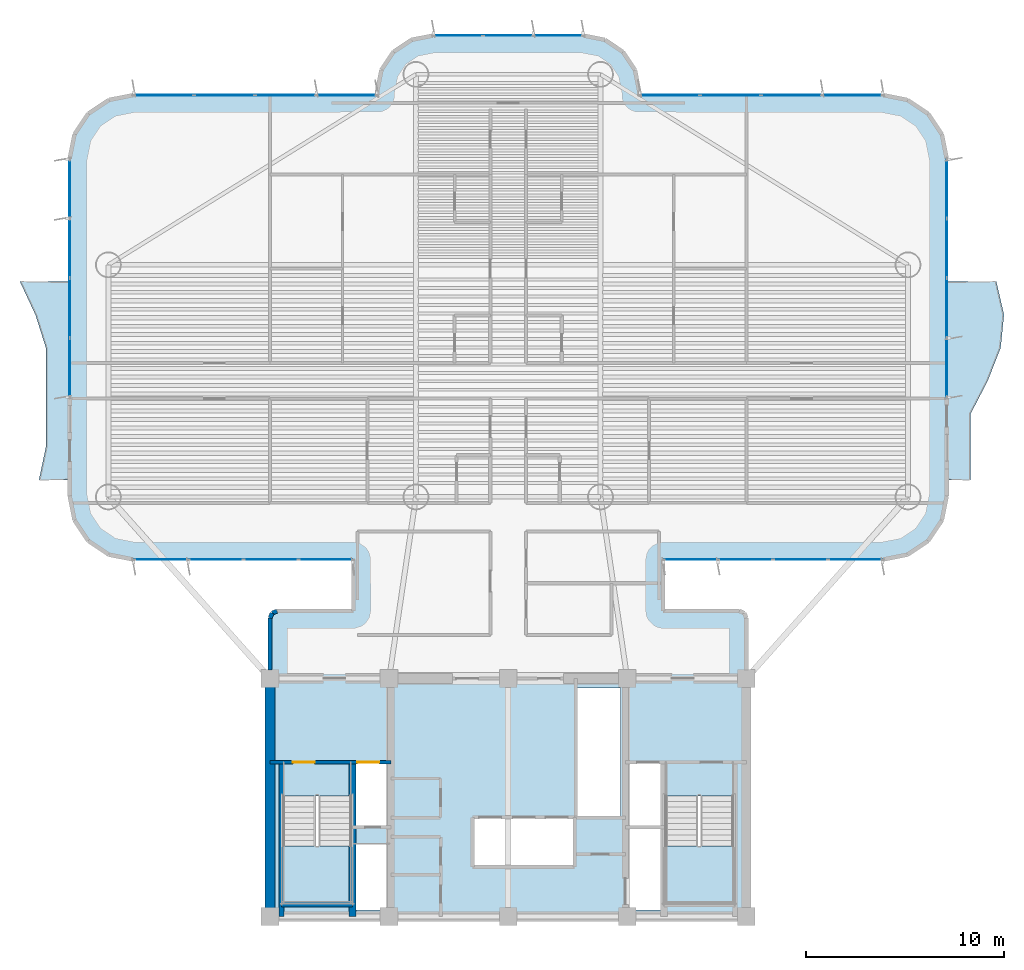
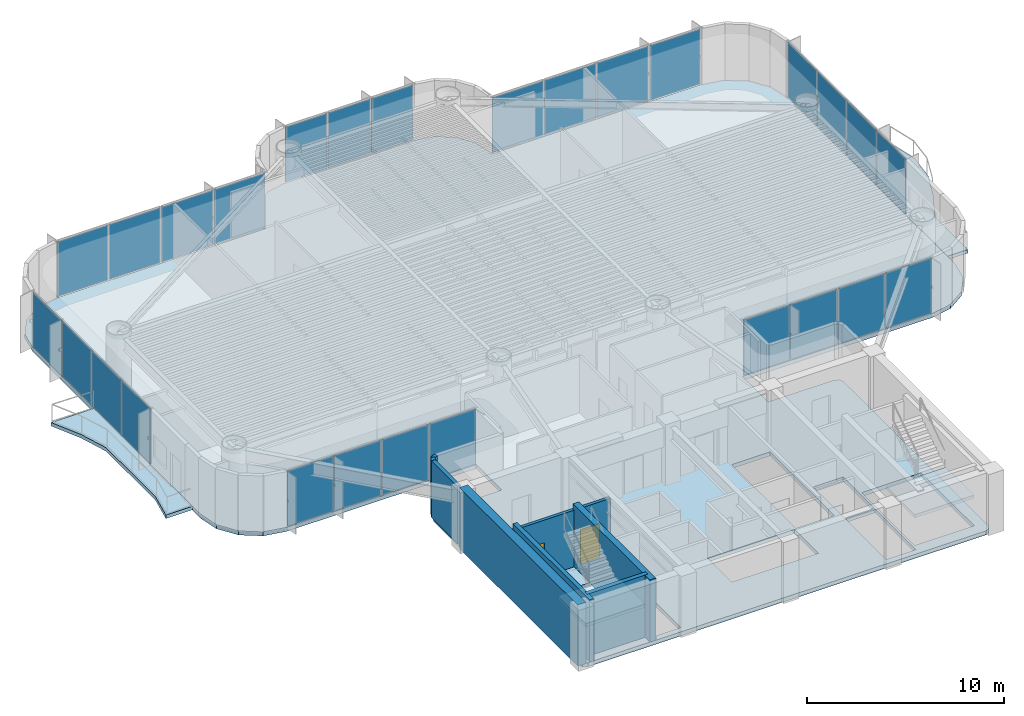
# One storey, part 8 of 17: 27 plates, 8 walls, 5 slabs, 2 doors, 2 openings, 9 elements without a shape of their own.
"""IFC4 building model written with IfcOpenShell, lengths in metres."""

from ifc_helpers import new_model, si_unit, direction, frame, frame_2d, origin, origin_2d, place, context, subcontext, project, spatial, polyline, rectangle, outline, extrude, source, transform, mapped, material, layer, layer_set, type_object, element, fill, aggregate, save


model = new_model("IFC4")

# Units and contexts
model_context = context("Model", 3, precision=1e-05, world=origin(), true_north=direction((0.0, 1.0)))
body_context = subcontext(model_context, "Body", "Model", "MODEL_VIEW")
ifc_project = project(units=[si_unit("LENGTHUNIT", "METRE"), si_unit("AREAUNIT", "SQUARE_METRE"), si_unit("VOLUMEUNIT", "CUBIC_METRE"), si_unit("PLANEANGLEUNIT", "RADIAN"), si_unit("MASSUNIT", "GRAM", prefix="KILO")], contexts=[model_context])

# Site, building, storey
site_placement = place(None, origin())
site = spatial("IfcSite", under=ifc_project, at=site_placement, CompositionType="ELEMENT")
building_placement = place(site_placement, origin())
building = spatial("IfcBuilding", under=site, at=building_placement, Name="Brelvock Crest Care Tower", CompositionType="ELEMENT")
storey_placement = place(building_placement, frame((0.0, 0.0, 97.3798828125)))
storey = spatial("IfcBuildingStorey", under=building, at=storey_placement, Name="L24", CompositionType="ELEMENT", Elevation=97.3798828125)

# Slabs
ifc_material_1 = material(Name="Concrete N50 (50 MPa)", Category="concrete")
ifc_layer_1 = layer(ifc_material_1, 0.25, Name="SLB-FL3")
ifc_layer_set_1 = layer_set([ifc_layer_1], Name="Concrete N50 (50 MPa)")
slab_type_1 = type_object("IfcSlabType", Name="SLB-FL3", PredefinedType="FLOOR", material=ifc_layer_set_1)
slab_1_placement = place(storey_placement, frame((0.0, 0.0, -0.25)))
element("IfcSlab", 1, at=slab_1_placement, inside=storey, type_object=slab_type_1, Name="L24 Main Structural Slab", PredefinedType="FLOOR", context=body_context, shape_type="SweptSolid", body=[
    extrude(outline(polyline([(47.64990234375, 21.39990234375), (43.800048828125, 21.39990234375), (43.800048828125, 24.0), (54.89990234375, 24.0), (56.12451171875, 24.24365234375), (57.16259765625, 24.937255859375), (57.8564453125, 25.975341796875), (58.10009765625, 27.199951171875), (58.10009765625, 44.199951171875), (57.8564453125, 45.424560546875), (57.16259765625, 46.462646484375), (56.12451171875, 47.156494140625), (54.89990234375, 47.39990234375), (42.60009765625, 47.39990234375), (42.60009765625, 47.60009765625), (42.386962890625, 48.67138671875), (41.77978515625, 49.579833984375), (40.87158203125, 50.18701171875), (39.800048828125, 50.39990234375), (32.199951171875, 50.39990234375), (31.12841796875, 50.18701171875), (30.22021484375, 49.579833984375), (29.613037109375, 48.67138671875), (29.39990234375, 47.60009765625), (29.39990234375, 47.39990234375), (17.10009765625, 47.39990234375), (15.87548828125, 47.156494140625), (14.83740234375, 46.462646484375), (14.1435546875, 45.424560546875), (13.89990234375, 44.199951171875), (13.89990234375, 27.199951171875), (14.1435546875, 25.975341796875), (14.83740234375, 24.937255859375), (15.87548828125, 24.24365234375), (17.10009765625, 24.0), (28.199951171875, 24.0), (28.199951171875, 21.39990234375), (24.35009765625, 21.39990234375), (24.1025390625, 21.297607421875), (24.0, 21.050048828125), (24.0, 6.35009765625), (24.1025390625, 6.1025390625), (24.35009765625, 6.0), (47.64990234375, 6.0), (47.8974609375, 6.1025390625), (48.0, 6.35009765625), (48.0, 21.050048828125), (47.8974609375, 21.297607421875), (47.64990234375, 21.39990234375)]), holes=[polyline([(28.239990234375, 10.580078125), (29.97998046875, 10.580078125), (29.97998046875, 13.739990234375), (28.239990234375, 13.739990234375), (28.239990234375, 10.580078125)]), polyline([(42.02001953125, 10.580078125), (43.760009765625, 10.580078125), (43.760009765625, 13.739990234375), (42.02001953125, 13.739990234375), (42.02001953125, 10.580078125)]), polyline([(28.239990234375, 6.340087890625), (29.97998046875, 6.340087890625), (29.97998046875, 9.64990234375), (28.239990234375, 9.64990234375), (28.239990234375, 6.340087890625)]), polyline([(24.6298828125, 12.080078125), (24.6298828125, 6.699951171875), (28.110107421875, 6.699951171875), (28.110107421875, 12.080078125), (24.6298828125, 12.080078125)]), polyline([(43.889892578125, 12.080078125), (43.889892578125, 6.699951171875), (47.3701171875, 6.699951171875), (47.3701171875, 12.080078125), (43.889892578125, 12.080078125)]), polyline([(42.02001953125, 6.340087890625), (43.760009765625, 6.340087890625), (43.760009765625, 10.5), (42.02001953125, 10.5), (42.02001953125, 6.340087890625)]), polyline([(34.22998046875, 8.530029296875), (39.320068359375, 8.530029296875), (39.320068359375, 10.969970703125), (34.22998046875, 10.969970703125), (34.22998046875, 8.530029296875)]), polyline([(39.429931640625, 11.030029296875), (41.669921875, 11.030029296875), (41.669921875, 17.52001953125), (39.429931640625, 17.52001953125), (39.429931640625, 11.030029296875)])]), origin(), (0.0, 0.0, 1.0), 0.25),
])
ifc_layer_2 = layer(ifc_material_1, 0.219970703125, Name="SLB-WB1")
ifc_layer_set_2 = layer_set([ifc_layer_2], Name="Concrete N50 (50 MPa)")
slab_type_2 = type_object("IfcSlabType", Name="SLB-WB1", PredefinedType="FLOOR", material=ifc_layer_set_2)
slab_2_placement = place(storey_placement, frame((0.0, 0.0, -0.219970703125)))
element("IfcSlab", 2, at=slab_2_placement, inside=storey, type_object=slab_type_2, Name="L24 W Sinusoidal Wave Balcony Slab", PredefinedType="FLOOR", context=body_context, shape_type="SweptSolid", body=[
    extrude(outline(polyline([(13.89990234375, 38.0), (11.3955078125, 38.0), (12.173828125, 36.333251953125), (12.699951171875, 34.666748046875), (12.699951171875, 33.0), (12.699951171875, 31.333251953125), (12.699951171875, 29.666748046875), (12.35009765625, 28.0), (13.89990234375, 28.0), (13.89990234375, 38.0)])), origin(), (0.0, 0.0, 1.0), 0.219970703125),
])
slab_3_placement = place(storey_placement, frame((0.0, 0.0, -0.219970703125)))
element("IfcSlab", 3, at=slab_3_placement, inside=storey, type_object=slab_type_2, Name="L24 E Sinusoidal Wave Balcony Slab", PredefinedType="FLOOR", context=body_context, shape_type="SweptSolid", body=[
    extrude(outline(polyline([(58.10009765625, 28.0), (59.300048828125, 28.0), (59.300048828125, 29.666748046875), (59.300537109375, 31.333251953125), (60.16650390625, 33.0), (60.819091796875, 34.666748046875), (60.988525390625, 36.333251953125), (60.6044921875, 38.0), (58.10009765625, 38.0), (58.10009765625, 28.0)])), origin(), (0.0, 0.0, 1.0), 0.219970703125),
])

# Stair, slab
ifc_material_2 = material(Name="Concrete N40 (40 MPa)", Category="concrete")
stair_type = type_object("IfcStairType", Name="ST-CORE1", PredefinedType="HALF_TURN_STAIR", material=ifc_material_2)
stair_1_placement = place(storey_placement, origin())
stair_1 = element("IfcStair", 4, at=stair_1_placement, inside=storey, type_object=stair_type, Name="L24 Fire-Isolated Core Stair ST-1", PredefinedType="HALF_TURN_STAIR")
ifc_layer_3 = layer(ifc_material_2, 0.199951171875, Name="STL-1")
ifc_layer_set_3 = layer_set([ifc_layer_3], Name="Concrete N40 (40 MPa)")
slab_type_3 = type_object("IfcSlabType", Name="STL-1", PredefinedType="LANDING", material=ifc_layer_set_3)
slab_4_placement = place(storey_placement, frame((0.0, 0.0, 1.690185546875)))
slab_4 = element("IfcSlab", 5, at=slab_4_placement, type_object=slab_type_3, Name="ST-1 landing 1", PredefinedType="LANDING", context=body_context, shape_type="SweptSolid", body=[
    extrude(outline(polyline([(24.6298828125, 9.56005859375), (24.6298828125, 6.699951171875), (28.110107421875, 6.699951171875), (28.110107421875, 9.56005859375), (24.6298828125, 9.56005859375)])), origin(), (0.0, 0.0, 1.0), 0.199951171875),
])
aggregate(stair_1, [slab_4])

stair_2_placement = place(storey_placement, origin())
stair_2 = element("IfcStair", 6, at=stair_2_placement, inside=storey, type_object=stair_type, Name="L24 Fire-Isolated Core Stair ST-2", PredefinedType="HALF_TURN_STAIR")
slab_5_placement = place(storey_placement, frame((0.0, 0.0, 1.690185546875)))
slab_5 = element("IfcSlab", 7, at=slab_5_placement, type_object=slab_type_3, Name="ST-2 landing 1", PredefinedType="LANDING", context=body_context, shape_type="SweptSolid", body=[
    extrude(outline(polyline([(43.889892578125, 9.56005859375), (43.889892578125, 6.699951171875), (47.3701171875, 6.699951171875), (47.3701171875, 9.56005859375), (43.889892578125, 9.56005859375)])), origin(), (0.0, 0.0, 1.0), 0.199951171875),
])
aggregate(stair_2, [slab_5])

# Curtain wall, plates
ifc_material_3 = material(Name="Dark Glass Double Glazed Low-E", Category="glass")
ifc_layer_4 = layer(ifc_material_3, 0.2099609375, Name="CWS-3")
ifc_layer_set_4 = layer_set([ifc_layer_4], Name="Dark Glass Double Glazed Low-E")
curtain_wall_type = type_object("IfcCurtainWallType", Name="CWS-3", PredefinedType="NOTDEFINED", material=ifc_layer_set_4)
curtain_wall_1_placement = place(storey_placement, origin())
curtain_wall_1 = element("IfcCurtainWall", 8, at=curtain_wall_1_placement, inside=storey, type_object=curtain_wall_type, Name="L24 Curtain Wall E12", PredefinedType="NOTDEFINED")
ifc_layer_5 = layer(ifc_material_3, 0.031982421875, Name="CWP-V1")
ifc_layer_set_5 = layer_set([ifc_layer_5], Name="Dark Glass Double Glazed Low-E")
plate_type = type_object("IfcPlateType", Name="CWP-V1", PredefinedType="CURTAIN_PANEL", material=ifc_layer_set_5)
shared_shape_1 = source(origin(), body_context, "Body", "SweptSolid", [
    extrude(rectangle(XDim=2.68505859375, YDim=0.035888671875, at=origin_2d()), origin(), (0.0, 0.0, 1.0), 3.409912109375),
])
plate_1_placement = place(storey_placement, frame((26.797607421875, 24.0, 0.06005859375), z_axis=(0.0, 0.0, 1.0), x_axis=(-1.0, 0.0, 0.0)))
plate_1 = element("IfcPlate", 9, at=plate_1_placement, type_object=plate_type, Name="CW-3 panel 1.1", PredefinedType="CURTAIN_PANEL", context=body_context, shape_type="MappedRepresentation", body=[
    mapped(shared_shape_1, transform((0.0, 0.0, 0.0), x_axis=(1.0, 0.0, 0.0), y_axis=(0.0, 1.0, 0.0), z_axis=(0.0, 0.0, 1.0), scale=1.0)),
])
plate_2_placement = place(storey_placement, frame((18.50244140625, 24.0, 0.06005859375), z_axis=(0.0, 0.0, 1.0), x_axis=(-1.0, 0.0, 0.0)))
plate_2 = element("IfcPlate", 10, at=plate_2_placement, type_object=plate_type, Name="CW-3 panel 4.1", PredefinedType="CURTAIN_PANEL", context=body_context, shape_type="MappedRepresentation", body=[
    mapped(shared_shape_1, transform((0.0, 0.0, 0.0), x_axis=(1.0, 0.0, 0.0), y_axis=(0.0, 1.0, 0.0), z_axis=(0.0, 0.0, 1.0), scale=1.0)),
])

curtain_wall_2_placement = place(storey_placement, origin())
curtain_wall_2 = element("IfcCurtainWall", 11, at=curtain_wall_2_placement, inside=storey, type_object=curtain_wall_type, Name="L24 Curtain Wall E44", PredefinedType="NOTDEFINED")
plate_3_placement = place(storey_placement, frame((53.49755859375, 24.0, 0.06005859375), z_axis=(0.0, 0.0, 1.0), x_axis=(-1.0, 0.0, 0.0)))
plate_3 = element("IfcPlate", 12, at=plate_3_placement, type_object=plate_type, Name="CW-3 panel 1.1", PredefinedType="CURTAIN_PANEL", context=body_context, shape_type="MappedRepresentation", body=[
    mapped(shared_shape_1, transform((0.0, 0.0, 0.0), x_axis=(1.0, 0.0, 0.0), y_axis=(0.0, 1.0, 0.0), z_axis=(0.0, 0.0, 1.0), scale=1.0)),
])
plate_4_placement = place(storey_placement, frame((45.202392578125, 24.0, 0.06005859375), z_axis=(0.0, 0.0, 1.0), x_axis=(-1.0, 0.0, 0.0)))
plate_4 = element("IfcPlate", 13, at=plate_4_placement, type_object=plate_type, Name="CW-3 panel 4.1", PredefinedType="CURTAIN_PANEL", context=body_context, shape_type="MappedRepresentation", body=[
    mapped(shared_shape_1, transform((0.0, 0.0, 0.0), x_axis=(1.0, 0.0, 0.0), y_axis=(0.0, 1.0, 0.0), z_axis=(0.0, 0.0, 1.0), scale=1.0)),
])

# Plate
shared_shape_2 = source(origin(), body_context, "Body", "SweptSolid", [
    extrude(rectangle(XDim=2.715087890625, YDim=0.035888671875, at=origin_2d()), origin(), (0.0, 0.0, 1.0), 3.409912109375),
])
plate_5_placement = place(storey_placement, frame((24.03759765625, 24.0, 0.06005859375), z_axis=(0.0, 0.0, 1.0), x_axis=(-1.0, 0.0, 0.0)))
plate_5 = element("IfcPlate", 14, at=plate_5_placement, type_object=plate_type, Name="CW-3 panel 2.1", PredefinedType="CURTAIN_PANEL", context=body_context, shape_type="MappedRepresentation", body=[
    mapped(shared_shape_2, transform((0.0, 0.0, 0.0), x_axis=(1.0, 0.0, 0.0), y_axis=(0.0, 1.0, 0.0), z_axis=(0.0, 0.0, 1.0), scale=1.0)),
])

plate_6_placement = place(storey_placement, frame((21.262451171875, 24.0, 0.06005859375), z_axis=(0.0, 0.0, 1.0), x_axis=(-1.0, 0.0, 0.0)))
plate_6 = element("IfcPlate", 15, at=plate_6_placement, type_object=plate_type, Name="CW-3 panel 3.1", PredefinedType="CURTAIN_PANEL", context=body_context, shape_type="MappedRepresentation", body=[
    mapped(shared_shape_2, transform((0.0, 0.0, 0.0), x_axis=(1.0, 0.0, 0.0), y_axis=(0.0, 1.0, 0.0), z_axis=(0.0, 0.0, 1.0), scale=1.0)),
])

aggregate(curtain_wall_1, [plate_1, plate_5, plate_6, plate_2])

plate_7_placement = place(storey_placement, frame((50.737548828125, 24.0, 0.06005859375), z_axis=(0.0, 0.0, 1.0), x_axis=(-1.0, 0.0, 0.0)))
plate_7 = element("IfcPlate", 16, at=plate_7_placement, type_object=plate_type, Name="CW-3 panel 2.1", PredefinedType="CURTAIN_PANEL", context=body_context, shape_type="MappedRepresentation", body=[
    mapped(shared_shape_2, transform((0.0, 0.0, 0.0), x_axis=(1.0, 0.0, 0.0), y_axis=(0.0, 1.0, 0.0), z_axis=(0.0, 0.0, 1.0), scale=1.0)),
])

plate_8_placement = place(storey_placement, frame((47.96240234375, 24.0, 0.06005859375), z_axis=(0.0, 0.0, 1.0), x_axis=(-1.0, 0.0, 0.0)))
plate_8 = element("IfcPlate", 17, at=plate_8_placement, type_object=plate_type, Name="CW-3 panel 3.1", PredefinedType="CURTAIN_PANEL", context=body_context, shape_type="MappedRepresentation", body=[
    mapped(shared_shape_2, transform((0.0, 0.0, 0.0), x_axis=(1.0, 0.0, 0.0), y_axis=(0.0, 1.0, 0.0), z_axis=(0.0, 0.0, 1.0), scale=1.0)),
])

aggregate(curtain_wall_2, [plate_3, plate_7, plate_8, plate_4])

# Curtain wall, plates
curtain_wall_3_placement = place(storey_placement, origin())
curtain_wall_3 = element("IfcCurtainWall", 18, at=curtain_wall_3_placement, inside=storey, type_object=curtain_wall_type, Name="L24 Curtain Wall E17B", PredefinedType="NOTDEFINED")
shared_shape_3 = source(origin(), body_context, "Body", "SweptSolid", [
    extrude(rectangle(XDim=2.922607421875, YDim=0.035888671875, at=origin_2d()), origin(), (0.0, 0.0, 1.0), 3.409912109375),
])
plate_9_placement = place(storey_placement, frame((13.89990234375, 33.671142578125, 0.06005859375), z_axis=(0.0, 0.0, 1.0), x_axis=(0.0, 1.0, 0.0)))
plate_9 = element("IfcPlate", 19, at=plate_9_placement, type_object=plate_type, Name="CW-3 panel 1.1", PredefinedType="CURTAIN_PANEL", context=body_context, shape_type="MappedRepresentation", body=[
    mapped(shared_shape_3, transform((0.0, 0.0, 0.0), x_axis=(1.0, 0.0, 0.0), y_axis=(0.0, 1.0, 0.0), z_axis=(0.0, 0.0, 1.0), scale=1.0)),
])
plate_10_placement = place(storey_placement, frame((13.89990234375, 42.6787109375, 0.06005859375), z_axis=(0.0, 0.0, 1.0), x_axis=(0.0, 1.0, 0.0)))
plate_10 = element("IfcPlate", 20, at=plate_10_placement, type_object=plate_type, Name="CW-3 panel 4.1", PredefinedType="CURTAIN_PANEL", context=body_context, shape_type="MappedRepresentation", body=[
    mapped(shared_shape_3, transform((0.0, 0.0, 0.0), x_axis=(1.0, 0.0, 0.0), y_axis=(0.0, 1.0, 0.0), z_axis=(0.0, 0.0, 1.0), scale=1.0)),
])

curtain_wall_4_placement = place(storey_placement, origin())
curtain_wall_4 = element("IfcCurtainWall", 21, at=curtain_wall_4_placement, inside=storey, type_object=curtain_wall_type, Name="L24 Curtain Wall E39A", PredefinedType="NOTDEFINED")
plate_11_placement = place(storey_placement, frame((58.10009765625, 42.6787109375, 0.06005859375), z_axis=(0.0, 0.0, 1.0), x_axis=(0.0, -1.0, 0.0)))
plate_11 = element("IfcPlate", 22, at=plate_11_placement, type_object=plate_type, Name="CW-3 panel 1.1", PredefinedType="CURTAIN_PANEL", context=body_context, shape_type="MappedRepresentation", body=[
    mapped(shared_shape_3, transform((0.0, 0.0, 0.0), x_axis=(1.0, 0.0, 0.0), y_axis=(0.0, 1.0, 0.0), z_axis=(0.0, 0.0, 1.0), scale=1.0)),
])
plate_12_placement = place(storey_placement, frame((58.10009765625, 33.671142578125, 0.06005859375), z_axis=(0.0, 0.0, 1.0), x_axis=(0.0, -1.0, 0.0)))
plate_12 = element("IfcPlate", 23, at=plate_12_placement, type_object=plate_type, Name="CW-3 panel 4.1", PredefinedType="CURTAIN_PANEL", context=body_context, shape_type="MappedRepresentation", body=[
    mapped(shared_shape_3, transform((0.0, 0.0, 0.0), x_axis=(1.0, 0.0, 0.0), y_axis=(0.0, 1.0, 0.0), z_axis=(0.0, 0.0, 1.0), scale=1.0)),
])

# Plate
shared_shape_4 = source(origin(), body_context, "Body", "SweptSolid", [
    extrude(rectangle(XDim=2.952392578125, YDim=0.035888671875, at=origin_2d()), origin(), (0.0, 0.0, 1.0), 3.409912109375),
])
plate_13_placement = place(storey_placement, frame((13.89990234375, 36.668701171875, 0.06005859375), z_axis=(0.0, 0.0, 1.0), x_axis=(0.0, 1.0, 0.0)))
plate_13 = element("IfcPlate", 24, at=plate_13_placement, type_object=plate_type, Name="CW-3 panel 2.1", PredefinedType="CURTAIN_PANEL", context=body_context, shape_type="MappedRepresentation", body=[
    mapped(shared_shape_4, transform((0.0, 0.0, 0.0), x_axis=(1.0, 0.0, 0.0), y_axis=(0.0, 1.0, 0.0), z_axis=(0.0, 0.0, 1.0), scale=1.0)),
])

plate_14_placement = place(storey_placement, frame((13.89990234375, 39.68115234375, 0.06005859375), z_axis=(0.0, 0.0, 1.0), x_axis=(0.0, 1.0, 0.0)))
plate_14 = element("IfcPlate", 25, at=plate_14_placement, type_object=plate_type, Name="CW-3 panel 3.1", PredefinedType="CURTAIN_PANEL", context=body_context, shape_type="MappedRepresentation", body=[
    mapped(shared_shape_4, transform((0.0, 0.0, 0.0), x_axis=(1.0, 0.0, 0.0), y_axis=(0.0, 1.0, 0.0), z_axis=(0.0, 0.0, 1.0), scale=1.0)),
])

aggregate(curtain_wall_3, [plate_9, plate_13, plate_14, plate_10])

plate_15_placement = place(storey_placement, frame((58.10009765625, 39.68115234375, 0.06005859375), z_axis=(0.0, 0.0, 1.0), x_axis=(0.0, -1.0, 0.0)))
plate_15 = element("IfcPlate", 26, at=plate_15_placement, type_object=plate_type, Name="CW-3 panel 2.1", PredefinedType="CURTAIN_PANEL", context=body_context, shape_type="MappedRepresentation", body=[
    mapped(shared_shape_4, transform((0.0, 0.0, 0.0), x_axis=(1.0, 0.0, 0.0), y_axis=(0.0, 1.0, 0.0), z_axis=(0.0, 0.0, 1.0), scale=1.0)),
])

plate_16_placement = place(storey_placement, frame((58.10009765625, 36.668701171875, 0.06005859375), z_axis=(0.0, 0.0, 1.0), x_axis=(0.0, -1.0, 0.0)))
plate_16 = element("IfcPlate", 27, at=plate_16_placement, type_object=plate_type, Name="CW-3 panel 3.1", PredefinedType="CURTAIN_PANEL", context=body_context, shape_type="MappedRepresentation", body=[
    mapped(shared_shape_4, transform((0.0, 0.0, 0.0), x_axis=(1.0, 0.0, 0.0), y_axis=(0.0, 1.0, 0.0), z_axis=(0.0, 0.0, 1.0), scale=1.0)),
])

aggregate(curtain_wall_4, [plate_11, plate_15, plate_16, plate_12])

# Curtain wall, plates
curtain_wall_5_placement = place(storey_placement, origin())
curtain_wall_5 = element("IfcCurtainWall", 28, at=curtain_wall_5_placement, inside=storey, type_object=curtain_wall_type, Name="L24 Curtain Wall E22", PredefinedType="NOTDEFINED")
shared_shape_5 = source(origin(), body_context, "Body", "SweptSolid", [
    extrude(rectangle(XDim=2.985107421875, YDim=0.035888671875, at=origin_2d()), origin(), (0.0, 0.0, 1.0), 3.409912109375),
])
plate_17_placement = place(storey_placement, frame((18.652587890625, 47.39990234375, 0.06005859375), z_axis=(0.0, 0.0, 1.0), x_axis=(1.0, 0.0, 0.0)))
plate_17 = element("IfcPlate", 29, at=plate_17_placement, type_object=plate_type, Name="CW-3 panel 1.1", PredefinedType="CURTAIN_PANEL", context=body_context, shape_type="MappedRepresentation", body=[
    mapped(shared_shape_5, transform((0.0, 0.0, 0.0), x_axis=(1.0, 0.0, 0.0), y_axis=(0.0, 1.0, 0.0), z_axis=(0.0, 0.0, 1.0), scale=1.0)),
])
plate_18_placement = place(storey_placement, frame((27.847412109375, 47.39990234375, 0.06005859375), z_axis=(0.0, 0.0, 1.0), x_axis=(1.0, 0.0, 0.0)))
plate_18 = element("IfcPlate", 30, at=plate_18_placement, type_object=plate_type, Name="CW-3 panel 4.1", PredefinedType="CURTAIN_PANEL", context=body_context, shape_type="MappedRepresentation", body=[
    mapped(shared_shape_5, transform((0.0, 0.0, 0.0), x_axis=(1.0, 0.0, 0.0), y_axis=(0.0, 1.0, 0.0), z_axis=(0.0, 0.0, 1.0), scale=1.0)),
])

curtain_wall_6_placement = place(storey_placement, origin())
curtain_wall_6 = element("IfcCurtainWall", 31, at=curtain_wall_6_placement, inside=storey, type_object=curtain_wall_type, Name="L24 Curtain Wall E34", PredefinedType="NOTDEFINED")
plate_19_placement = place(storey_placement, frame((44.152587890625, 47.39990234375, 0.06005859375), z_axis=(0.0, 0.0, 1.0), x_axis=(1.0, 0.0, 0.0)))
plate_19 = element("IfcPlate", 32, at=plate_19_placement, type_object=plate_type, Name="CW-3 panel 1.1", PredefinedType="CURTAIN_PANEL", context=body_context, shape_type="MappedRepresentation", body=[
    mapped(shared_shape_5, transform((0.0, 0.0, 0.0), x_axis=(1.0, 0.0, 0.0), y_axis=(0.0, 1.0, 0.0), z_axis=(0.0, 0.0, 1.0), scale=1.0)),
])
plate_20_placement = place(storey_placement, frame((53.347412109375, 47.39990234375, 0.06005859375), z_axis=(0.0, 0.0, 1.0), x_axis=(1.0, 0.0, 0.0)))
plate_20 = element("IfcPlate", 33, at=plate_20_placement, type_object=plate_type, Name="CW-3 panel 4.1", PredefinedType="CURTAIN_PANEL", context=body_context, shape_type="MappedRepresentation", body=[
    mapped(shared_shape_5, transform((0.0, 0.0, 0.0), x_axis=(1.0, 0.0, 0.0), y_axis=(0.0, 1.0, 0.0), z_axis=(0.0, 0.0, 1.0), scale=1.0)),
])

# Plate
shared_shape_6 = source(origin(), body_context, "Body", "SweptSolid", [
    extrude(rectangle(XDim=3.014892578125, YDim=0.035888671875, at=origin_2d()), origin(), (0.0, 0.0, 1.0), 3.409912109375),
])
plate_21_placement = place(storey_placement, frame((21.71240234375, 47.39990234375, 0.06005859375), z_axis=(0.0, 0.0, 1.0), x_axis=(1.0, 0.0, 0.0)))
plate_21 = element("IfcPlate", 34, at=plate_21_placement, type_object=plate_type, Name="CW-3 panel 2.1", PredefinedType="CURTAIN_PANEL", context=body_context, shape_type="MappedRepresentation", body=[
    mapped(shared_shape_6, transform((0.0, 0.0, 0.0), x_axis=(1.0, 0.0, 0.0), y_axis=(0.0, 1.0, 0.0), z_axis=(0.0, 0.0, 1.0), scale=1.0)),
])

plate_22_placement = place(storey_placement, frame((24.78759765625, 47.39990234375, 0.06005859375), z_axis=(0.0, 0.0, 1.0), x_axis=(1.0, 0.0, 0.0)))
plate_22 = element("IfcPlate", 35, at=plate_22_placement, type_object=plate_type, Name="CW-3 panel 3.1", PredefinedType="CURTAIN_PANEL", context=body_context, shape_type="MappedRepresentation", body=[
    mapped(shared_shape_6, transform((0.0, 0.0, 0.0), x_axis=(1.0, 0.0, 0.0), y_axis=(0.0, 1.0, 0.0), z_axis=(0.0, 0.0, 1.0), scale=1.0)),
])

aggregate(curtain_wall_5, [plate_17, plate_21, plate_22, plate_18])

plate_23_placement = place(storey_placement, frame((47.21240234375, 47.39990234375, 0.06005859375), z_axis=(0.0, 0.0, 1.0), x_axis=(1.0, 0.0, 0.0)))
plate_23 = element("IfcPlate", 36, at=plate_23_placement, type_object=plate_type, Name="CW-3 panel 2.1", PredefinedType="CURTAIN_PANEL", context=body_context, shape_type="MappedRepresentation", body=[
    mapped(shared_shape_6, transform((0.0, 0.0, 0.0), x_axis=(1.0, 0.0, 0.0), y_axis=(0.0, 1.0, 0.0), z_axis=(0.0, 0.0, 1.0), scale=1.0)),
])

plate_24_placement = place(storey_placement, frame((50.28759765625, 47.39990234375, 0.06005859375), z_axis=(0.0, 0.0, 1.0), x_axis=(1.0, 0.0, 0.0)))
plate_24 = element("IfcPlate", 37, at=plate_24_placement, type_object=plate_type, Name="CW-3 panel 3.1", PredefinedType="CURTAIN_PANEL", context=body_context, shape_type="MappedRepresentation", body=[
    mapped(shared_shape_6, transform((0.0, 0.0, 0.0), x_axis=(1.0, 0.0, 0.0), y_axis=(0.0, 1.0, 0.0), z_axis=(0.0, 0.0, 1.0), scale=1.0)),
])

aggregate(curtain_wall_6, [plate_19, plate_23, plate_24, plate_20])

# Curtain wall, plates
curtain_wall_7_placement = place(storey_placement, origin())
curtain_wall_7 = element("IfcCurtainWall", 38, at=curtain_wall_7_placement, inside=storey, type_object=curtain_wall_type, Name="L24 Curtain Wall E28", PredefinedType="NOTDEFINED")
shared_shape_7 = source(origin(), body_context, "Body", "SweptSolid", [
    extrude(rectangle(XDim=2.443359375, YDim=0.035888671875, at=origin_2d()), origin(), (0.0, 0.0, 1.0), 3.409912109375),
])
plate_25_placement = place(storey_placement, frame((33.481689453125, 50.39990234375, 0.06005859375), z_axis=(0.0, 0.0, 1.0), x_axis=(1.0, 0.0, 0.0)))
plate_25 = element("IfcPlate", 39, at=plate_25_placement, type_object=plate_type, Name="CW-3 panel 1.1", PredefinedType="CURTAIN_PANEL", context=body_context, shape_type="MappedRepresentation", body=[
    mapped(shared_shape_7, transform((0.0, 0.0, 0.0), x_axis=(1.0, 0.0, 0.0), y_axis=(0.0, 1.0, 0.0), z_axis=(0.0, 0.0, 1.0), scale=1.0)),
])
plate_26_placement = place(storey_placement, frame((38.518310546875, 50.39990234375, 0.06005859375), z_axis=(0.0, 0.0, 1.0), x_axis=(1.0, 0.0, 0.0)))
plate_26 = element("IfcPlate", 40, at=plate_26_placement, type_object=plate_type, Name="CW-3 panel 3.1", PredefinedType="CURTAIN_PANEL", context=body_context, shape_type="MappedRepresentation", body=[
    mapped(shared_shape_7, transform((0.0, 0.0, 0.0), x_axis=(1.0, 0.0, 0.0), y_axis=(0.0, 1.0, 0.0), z_axis=(0.0, 0.0, 1.0), scale=1.0)),
])
shared_shape_8 = source(origin(), body_context, "Body", "SweptSolid", [
    extrude(rectangle(XDim=2.473388671875, YDim=0.035888671875, at=origin_2d()), origin(), (0.0, 0.0, 1.0), 3.409912109375),
])
plate_27_placement = place(storey_placement, frame((36.0, 50.39990234375, 0.06005859375), z_axis=(0.0, 0.0, 1.0), x_axis=(1.0, 0.0, 0.0)))
plate_27 = element("IfcPlate", 41, at=plate_27_placement, type_object=plate_type, Name="CW-3 panel 2.1", PredefinedType="CURTAIN_PANEL", context=body_context, shape_type="MappedRepresentation", body=[
    mapped(shared_shape_8, transform((0.0, 0.0, 0.0), x_axis=(1.0, 0.0, 0.0), y_axis=(0.0, 1.0, 0.0), z_axis=(0.0, 0.0, 1.0), scale=1.0)),
])
aggregate(curtain_wall_7, [plate_25, plate_27, plate_26])

# Walls
ifc_material_4 = material(Name="Concrete S80 (80 MPa)", Category="concrete")
ifc_layer_6 = layer(ifc_material_4, 0.5, Name="WL-CS2")
ifc_layer_set_6 = layer_set([ifc_layer_6], Name="Concrete S80 (80 MPa)")
wall_type_1 = type_object("IfcWallType", Name="WL-CS2", PredefinedType="SHEAR", material=ifc_layer_set_6)
wall_1_placement = place(storey_placement, frame((24.0, 6.0, 0.0), z_axis=(0.0, 0.0, 1.0), x_axis=(0.0, 1.0, 0.0)))
element("IfcWall", 42, at=wall_1_placement, inside=storey, type_object=wall_type_1, Name="L24 Core West Shear Wall", PredefinedType="SHEAR", context=body_context, shape_type="SweptSolid", body=[
    extrude(rectangle(XDim=12.0, YDim=0.5, at=frame_2d((6.0, 0.0))), origin(), (0.0, 0.0, 1.0), 3.780029296875),
])
ifc_layer_7 = layer(ifc_material_4, 0.35009765625, Name="WL-CS5")
ifc_layer_set_7 = layer_set([ifc_layer_7], Name="Concrete S80 (80 MPa)")
wall_type_2 = type_object("IfcWallType", Name="WL-CS5", PredefinedType="SHEAR", material=ifc_layer_set_7)
wall_2_placement = place(storey_placement, frame((28.14990234375, 6.0, 0.0), z_axis=(0.0, 0.0, 1.0), x_axis=(0.0, 1.0, 0.0)))
element("IfcWall", 43, at=wall_2_placement, inside=storey, type_object=wall_type_2, Name="L24 Core Stair ST-1 East Shear Wall", PredefinedType="SHEAR", context=body_context, shape_type="SweptSolid", body=[
    extrude(rectangle(XDim=7.780029296875, YDim=0.35009765625, at=frame_2d((3.89013671875, 0.0))), origin(), (0.0, 0.0, 1.0), 3.85009765625),
])
ifc_layer_8 = layer(ifc_material_4, 0.25, Name="WL-CS6")
ifc_layer_set_8 = layer_set([ifc_layer_8], Name="Concrete S80 (80 MPa)")
wall_type_3 = type_object("IfcWallType", Name="WL-CS6", PredefinedType="SHEAR", material=ifc_layer_set_8)
wall_3_placement = place(storey_placement, frame((24.580078125, 6.0, 0.0), z_axis=(0.0, 0.0, 1.0), x_axis=(0.0, 1.0, 0.0)))
element("IfcWall", 44, at=wall_3_placement, inside=storey, type_object=wall_type_3, Name="L24 Core Stair ST-1 West Shear Wall", PredefinedType="SHEAR", context=body_context, shape_type="SweptSolid", body=[
    extrude(rectangle(XDim=7.780029296875, YDim=0.25, at=frame_2d((3.89013671875, 0.0))), origin(), (0.0, 0.0, 1.0), 3.85009765625),
])
wall_4_placement = place(storey_placement, frame((24.580078125, 6.6201171875, 0.0), z_axis=(0.0, 0.0, 1.0), x_axis=(1.0, 0.0, 0.0)))
element("IfcWall", 45, at=wall_4_placement, inside=storey, type_object=wall_type_3, Name="L24 Core Stair ST-1 South Shear Wall", PredefinedType="SHEAR", context=body_context, shape_type="SweptSolid", body=[
    extrude(rectangle(XDim=3.56982421875, YDim=0.25, at=frame_2d((1.784912109375, 0.0))), origin(), (0.0, 0.0, 1.0), 3.85009765625),
])
ifc_material_5 = material(Name="Precast concrete N40 (40 MPa)", Category="concrete")
ifc_layer_9 = layer(ifc_material_5, 0.215087890625, Name="WL-EX2")
ifc_layer_set_9 = layer_set([ifc_layer_9], Name="Precast concrete N40 (40 MPa)")
wall_type_4 = type_object("IfcWallType", Name="WL-EX2", PredefinedType="SOLIDWALL", material=ifc_layer_set_9)
wall_5_placement = place(storey_placement, frame((24.0, 18.429931640625, 0.0), z_axis=(0.0, 0.0, 1.0), x_axis=(0.0, 1.0, 0.0)))
element("IfcWall", 46, at=wall_5_placement, inside=storey, type_object=wall_type_4, Name="L24 Rounded Corner Wall 07", PredefinedType="SOLIDWALL", context=body_context, shape_type="SweptSolid", body=[
    extrude(rectangle(XDim=2.6201171875, YDim=0.215087890625, at=frame_2d((1.31005859375, 0.0))), origin(), (0.0, 0.0, 1.0), 3.530029296875),
])
wall_6_placement = place(storey_placement, frame((24.0, 21.050048828125, 0.0), z_axis=(0.0, 0.0, 1.0), x_axis=(0.382673670509, 0.923883575944, 0.0)))
element("IfcWall", 47, at=wall_6_placement, inside=storey, type_object=wall_type_4, Name="L24 Rounded Corner Wall 08", PredefinedType="SOLIDWALL", context=body_context, shape_type="SweptSolid", body=[
    extrude(rectangle(XDim=0.26806640625, YDim=0.215087890625, at=frame_2d((0.134033203125, 0.0))), origin(), (0.0, 0.0, 1.0), 3.530029296875),
])
wall_7_placement = place(storey_placement, frame((24.1025390625, 21.297607421875, 0.0), z_axis=(0.0, 0.0, 1.0), x_axis=(0.924205486139, 0.381895560841, 0.0)))
element("IfcWall", 48, at=wall_7_placement, inside=storey, type_object=wall_type_4, Name="L24 Rounded Corner Wall 09", PredefinedType="SOLIDWALL", context=body_context, shape_type="SweptSolid", body=[
    extrude(rectangle(XDim=0.267822265625, YDim=0.215087890625, at=frame_2d((0.1337890625, 0.0))), origin(), (0.0, 0.0, 1.0), 3.530029296875),
])

# Wall, openings, doors
ifc_material_6 = material(Name="Masonry Blockwork Acoustic Partition", Category="masonry")
ifc_layer_10 = layer(ifc_material_6, 0.179931640625, Name="WL-SHF1")
ifc_layer_set_10 = layer_set([ifc_layer_10], Name="Masonry Blockwork Acoustic Partition")
wall_type_5 = type_object("IfcWallType", Name="WL-SHF1", PredefinedType="PARTITIONING", material=ifc_layer_set_10)
wall_8_placement = place(storey_placement, frame((24.0, 13.780029296875, 0.0), z_axis=(0.0, 0.0, 1.0), x_axis=(1.0, 0.0, 0.0)))
wall_8 = element("IfcWall", 49, at=wall_8_placement, inside=storey, type_object=wall_type_5, Name="L24 Interior Wall WL-ST1-N-L24", PredefinedType="PARTITIONING", context=body_context, shape_type="SweptSolid", body=[
    extrude(rectangle(XDim=6.10009765625, YDim=0.179931640625, at=frame_2d((3.050048828125, 0.0))), origin(), (0.0, 0.0, 1.0), 3.5),
])
opening_1_placement = place(wall_8_placement, frame((1.14990234375, 0.0, 0.0)))
opening_1 = element("IfcOpeningElement", 50, at=opening_1_placement, cuts=wall_8, Name="Opening SD-1", PredefinedType="OPENING", context=body_context, shape_type="SweptSolid", body=[
    extrude(rectangle(XDim=1.10009765625, YDim=2.10009765625, at=origin_2d()), frame((0.550048828125, 0.10009765625, 1.050048828125), z_axis=(0.0, -1.0, 0.0), x_axis=(1.0, 0.0, 0.0)), (0.0, 0.0, 1.0), 0.199951171875),
])
opening_2_placement = place(wall_8_placement, frame((4.39990234375, 0.0, 0.0)))
opening_2 = element("IfcOpeningElement", 51, at=opening_2_placement, cuts=wall_8, Name="Opening LD", PredefinedType="OPENING", context=body_context, shape_type="SweptSolid", body=[
    extrude(rectangle(XDim=1.10009765625, YDim=2.10009765625, at=origin_2d()), frame((0.550048828125, 0.10009765625, 1.050048828125), z_axis=(0.0, -1.0, 0.0), x_axis=(1.0, 0.0, 0.0)), (0.0, 0.0, 1.0), 0.199951171875),
])
ifc_material_7 = material(Name="Steel Grade 350", Category="steel")
door_type_1 = type_object("IfcDoorType", Name="DR-ST1", OperationType="NOTDEFINED", PredefinedType="DOOR", material=ifc_material_7)
shared_shape_9 = source(origin(), body_context, "Body", "SweptSolid", [
    extrude(rectangle(XDim=1.10009765625, YDim=2.10009765625, at=origin_2d()), frame((0.550048828125, 0.02490234375, 1.050048828125), z_axis=(0.0, -1.0, 0.0), x_axis=(1.0, 0.0, 0.0)), (0.0, 0.0, 1.0), 0.050048828125),
])
door_1_placement = place(opening_1_placement, origin())
door_1 = element("IfcDoor", 52, at=door_1_placement, inside=storey, type_object=door_type_1, Name="L24 Fire Stair ST-1 Door", OperationType="SINGLE_SWING_LEFT", OverallHeight=2.10009765625, OverallWidth=1.10009765625, PredefinedType="DOOR", context=body_context, shape_type="MappedRepresentation", body=[
    mapped(shared_shape_9, transform((0.0, 0.0, 0.0), x_axis=(1.0, 0.0, 0.0), y_axis=(0.0, 1.0, 0.0), z_axis=(0.0, 0.0, 1.0), scale=1.0)),
])
fill(opening_1, door_1)
door_type_2 = type_object("IfcDoorType", Name="DR-LD1", OperationType="NOTDEFINED", PredefinedType="DOOR", material=ifc_material_7)
shared_shape_10 = source(origin(), body_context, "Body", "SweptSolid", [
    extrude(rectangle(XDim=1.10009765625, YDim=2.10009765625, at=origin_2d()), frame((0.550048828125, 0.02490234375, 1.050048828125), z_axis=(0.0, -1.0, 0.0), x_axis=(1.0, 0.0, 0.0)), (0.0, 0.0, 1.0), 0.050048828125),
])
door_2_placement = place(opening_2_placement, origin())
door_2 = element("IfcDoor", 53, at=door_2_placement, inside=storey, type_object=door_type_2, Name="L24 Firefighting Lift FFL-1 Landing Door", OperationType="SLIDING_TO_LEFT", OverallHeight=2.10009765625, OverallWidth=1.10009765625, PredefinedType="DOOR", context=body_context, shape_type="MappedRepresentation", body=[
    mapped(shared_shape_10, transform((0.0, 0.0, 0.0), x_axis=(1.0, 0.0, 0.0), y_axis=(0.0, 1.0, 0.0), z_axis=(0.0, 0.0, 1.0), scale=1.0)),
])
fill(opening_2, door_2)

save(model, "model.ifc")
